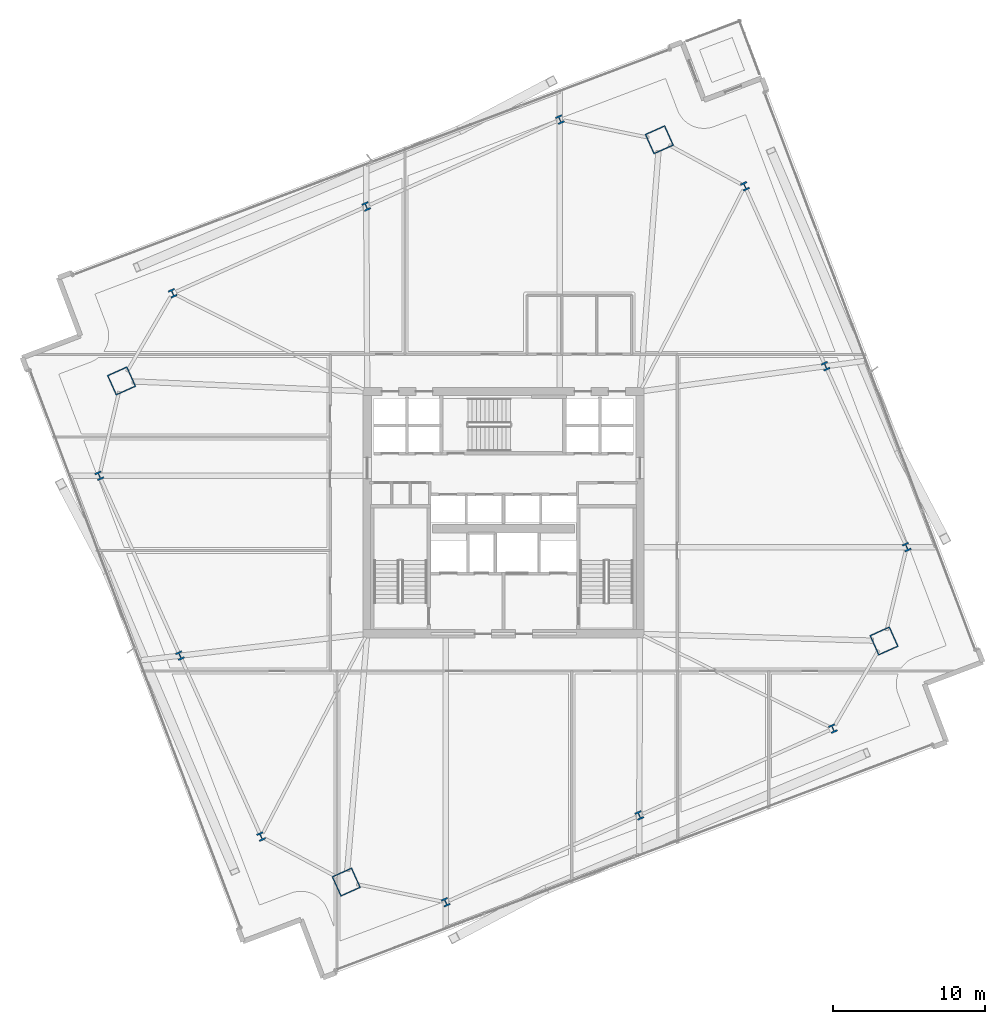
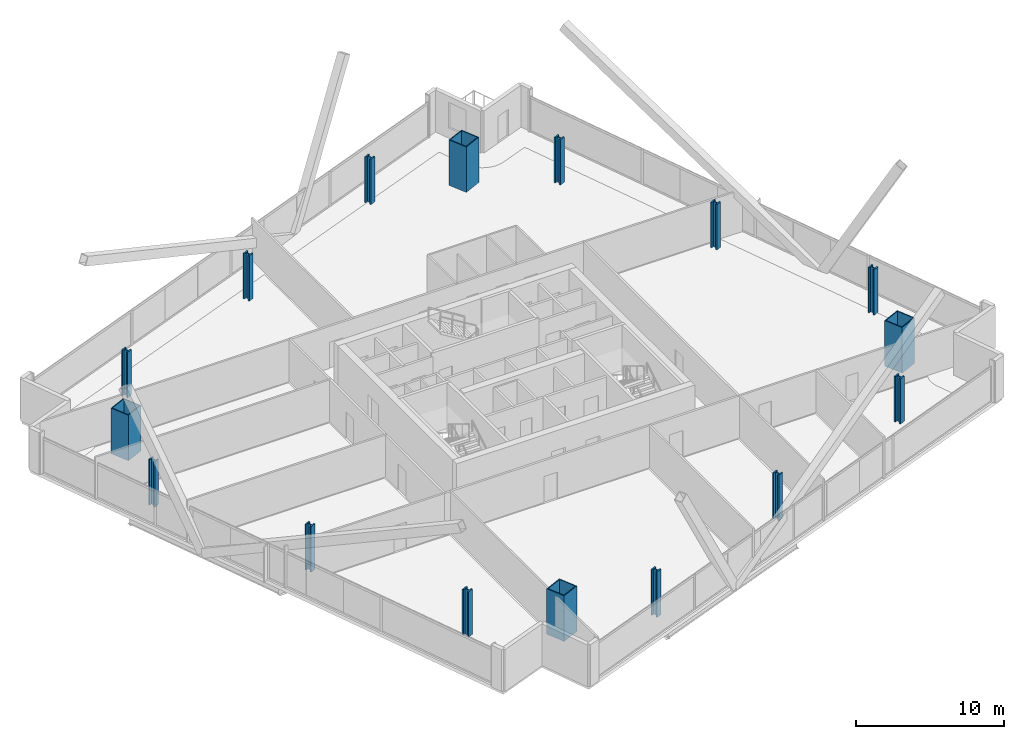
# One storey, part 1 of 37: 16 columns.
"""IFC4 building model written with IfcOpenShell, lengths in metres."""

import ifcopenshell
import ifcopenshell.guid

model = None  # the IFC model being written
_history = None  # IfcOwnerHistory: only IFC2X3 demands one
_inside = {}  # id of a spatial element -> (the spatial element, [elements in it])
_under = {}  # id of a project, library or spatial element -> (it, [spatial elements below it])
_declared = {}  # id of a project -> (the project, [libraries it declares])
_typed = {}  # id of a type object -> (the type object, [elements of that type])
_made_of = {}  # id of a material, layer set ... -> (it, [elements and type objects made of it])


def new_model(schema):
    """Start an empty IFC model of exactly this schema.

    Asked for "IFC4X3", IfcOpenShell would pick the latest addendum, in which some entities
    have other attributes; the version numbers below select the first issue.
    IFC2X3 requires an IfcOwnerHistory on every rooted entity: one is made here for all.
    """
    global model, _history
    if schema == "IFC4X3":
        model = ifcopenshell.file(schema_version=(4, 3, 0, 0))
    else:
        model = ifcopenshell.file(schema=schema)
    _inside.clear()
    _under.clear()
    _declared.clear()
    _typed.clear()
    _made_of.clear()
    _history = None
    if model.schema == "IFC2X3":
        org = make("IfcOrganization", Name="unknown")
        user = make(
            "IfcPersonAndOrganization",
            ThePerson=make("IfcPerson", FamilyName="unknown"),
            TheOrganization=org,
        )
        app = make(
            "IfcApplication",
            ApplicationDeveloper=org,
            Version="unknown",
            ApplicationFullName="unknown",
            ApplicationIdentifier="unknown",
        )
        _history = make(
            "IfcOwnerHistory",
            OwningUser=user,
            OwningApplication=app,
            ChangeAction="ADDED",
            CreationDate=0,
        )
    return model


def make(cls, **values):
    """One entity of the class cls with the attributes given. An attribute that is None is left unset."""
    return model.create_entity(
        cls, **{name: value for name, value in values.items() if value is not None}
    )


def rooted(cls, **values):
    """An entity with a GlobalId (a new one), such as an element, a storey or a relation."""
    return make(cls, GlobalId=ifcopenshell.guid.new(), OwnerHistory=_history, **values)


def si_unit(unit_type, name, prefix=None):
    """IfcSIUnit, for example si_unit("LENGTHUNIT", "METRE", prefix="MILLI")."""
    return make("IfcSIUnit", UnitType=unit_type, Prefix=prefix, Name=name)


def assignment(units):
    """IfcUnitAssignment: the units of a project."""
    return None if units is None else make("IfcUnitAssignment", Units=units)


def point(xyz):
    """IfcCartesianPoint."""
    return None if xyz is None else make("IfcCartesianPoint", Coordinates=xyz)


def direction(xyz):
    """IfcDirection."""
    return None if xyz is None else make("IfcDirection", DirectionRatios=xyz)


def frame(location, z_axis=None, x_axis=None):
    """IfcAxis2Placement3D, a coordinate frame: its origin and axes. An axis left out is left unset."""
    return make(
        "IfcAxis2Placement3D",
        Location=point(location),
        Axis=direction(z_axis),
        RefDirection=direction(x_axis),
    )


def frame_2d(location, x_axis=None):
    """IfcAxis2Placement2D, a coordinate frame in the plane: its origin and x axis."""
    return make(
        "IfcAxis2Placement2D", Location=point(location), RefDirection=direction(x_axis)
    )


def origin():
    """The frame at (0, 0, 0) with its axes left unset."""
    return frame((0.0, 0.0, 0.0))


def origin_2d():
    """The frame at (0, 0) in the plane with its x axis left unset."""
    return frame_2d((0.0, 0.0))


def place(relative_to, where):
    """IfcLocalPlacement: puts the frame where relative to a parent placement (None: the world)."""
    return make(
        "IfcLocalPlacement", PlacementRelTo=relative_to, RelativePlacement=where
    )


def context(
    kind, dimensions, precision=None, world=None, true_north=None, identifier=None
):
    """IfcGeometricRepresentationContext, for example the 3D "Model" context."""
    return make(
        "IfcGeometricRepresentationContext",
        ContextIdentifier=identifier,
        ContextType=kind,
        CoordinateSpaceDimension=dimensions,
        Precision=precision,
        WorldCoordinateSystem=world,
        TrueNorth=true_north,
    )


def subcontext(parent, identifier, kind, view, scale=None):
    """IfcGeometricRepresentationSubContext, for example "Body" below "Model"."""
    return make(
        "IfcGeometricRepresentationSubContext",
        ContextIdentifier=identifier,
        ContextType=kind,
        ParentContext=parent,
        TargetScale=scale,
        TargetView=view,
    )


def project(units=None, contexts=None):
    """IfcProject with its units and contexts."""
    return rooted(
        "IfcProject",
        Name="project",
        RepresentationContexts=contexts,
        UnitsInContext=assignment(units),
    )


def spatial(cls, under=None, at=None, **own):
    """A site, building, storey or space (cls), placed at a placement, below another one or the project."""
    s = rooted(cls, ObjectPlacement=at, **own)
    if under is not None:
        _under.setdefault(under.id(), (under, []))[1].append(s)
    return s


def profile(cls, at=None, kind="AREA", **sizes):
    """A parametric profile (cls). Its sizes go by their IFC names, for example OverallWidth=200.0."""
    return make(cls, ProfileType=kind, Position=at, **sizes)


def hollow_rectangle(**sizes):
    """IfcRectangleHollowProfileDef."""
    return profile("IfcRectangleHollowProfileDef", **sizes)


def i_section(**sizes):
    """IfcIShapeProfileDef."""
    return profile("IfcIShapeProfileDef", **sizes)


def extrude(swept, where, along, depth):
    """IfcExtrudedAreaSolid: the profile swept, set in the frame where, extruded along a direction by depth."""
    return make(
        "IfcExtrudedAreaSolid",
        SweptArea=swept,
        Position=where,
        ExtrudedDirection=direction(along),
        Depth=depth,
    )


def shape(context_of_items, identifier, shape_type, items):
    """IfcShapeRepresentation: the items that make up one representation, for example the "Body"."""
    return make(
        "IfcShapeRepresentation",
        ContextOfItems=context_of_items,
        RepresentationIdentifier=identifier,
        RepresentationType=shape_type,
        Items=items,
    )


def material(Name=None, Category=None):
    """IfcMaterial."""
    return make("IfcMaterial", Name=Name, Category=Category)


def material_profile(
    of_material, cross_section, Name=None, Category=None, Priority=None
):
    """IfcMaterialProfile: a cross section and its material."""
    return make(
        "IfcMaterialProfile",
        Name=Name,
        Material=of_material,
        Profile=cross_section,
        Priority=Priority,
        Category=Category,
    )


def profile_set(profiles, Name=None, composite=None):
    """IfcMaterialProfileSet."""
    return make(
        "IfcMaterialProfileSet",
        Name=Name,
        MaterialProfiles=profiles,
        CompositeProfile=composite,
    )


def made_of(thing, what):
    """Note that an element or type object is made of a material, layer set ...; save() writes the relation."""
    if what is not None:
        _made_of.setdefault(what.id(), (what, []))[1].append(thing)
    return thing


def type_object(cls, material=None, **own):
    """A type object (cls), such as IfcWallType, which elements share."""
    return made_of(rooted(cls, **own), material)


def element(
    cls,
    number,
    at=None,
    inside=None,
    cuts=None,
    type_object=None,
    material=None,
    context=None,
    identifier="Body",
    shape_type=None,
    held_by="IfcProductDefinitionShape",
    body=None,
    shapes=None,
    **own,
):
    """One element of the class cls, such as IfcWall. Its Tag is "e" and its number.

    at: its placement. inside: the storey or other place that contains it. cuts: it is an
    opening in that element (IfcRelVoidsElement). A single representation is given by context,
    identifier, shape_type and body (its items); several are given by shapes. held_by: the class
    of the entity that holds the representations. save() writes the other relations.
    """
    e = rooted(cls, Tag="e%d" % number, ObjectPlacement=at, **own)
    if body is not None:
        shapes = [shape(context, identifier, shape_type, body)]
    if shapes is not None:
        e.Representation = make(held_by, Representations=shapes)
    if inside is not None:
        _inside.setdefault(inside.id(), (inside, []))[1].append(e)
    if cuts is not None:
        rooted(
            "IfcRelVoidsElement", RelatingBuildingElement=cuts, RelatedOpeningElement=e
        )
    if type_object is not None:
        _typed.setdefault(type_object.id(), (type_object, []))[1].append(e)
    return made_of(e, material)


def aggregate(whole, parts):
    """IfcRelAggregates: a whole, such as a stair, and the parts it consists of."""
    return rooted("IfcRelAggregates", RelatingObject=whole, RelatedObjects=parts)


def save(model, path):
    """Write the relations noted so far, then the file.

    IfcRelAggregates (storeys below a building ...), IfcRelContainedInSpatialStructure (elements
    in a storey), IfcRelDefinesByType, IfcRelAssociatesMaterial and IfcRelDeclares: one each for
    every whole, place, type object, material and project.
    """
    for whole, parts in _under.values():
        aggregate(whole, parts)
    for where, things in _inside.values():
        rooted(
            "IfcRelContainedInSpatialStructure",
            RelatedElements=things,
            RelatingStructure=where,
        )
    for kind, things in _typed.values():
        rooted("IfcRelDefinesByType", RelatedObjects=things, RelatingType=kind)
    for what, things in _made_of.values():
        rooted("IfcRelAssociatesMaterial", RelatedObjects=things, RelatingMaterial=what)
    for by, libraries in _declared.values():
        rooted("IfcRelDeclares", RelatingContext=by, RelatedDefinitions=libraries)
    model.write(path)


model = new_model("IFC4")

# Units and contexts
model_context = context("Model", 3, precision=1e-05, world=origin(), true_north=direction((0.0, 1.0)))
body_context = subcontext(model_context, "Body", "Model", "MODEL_VIEW")
ifc_project = project(units=[si_unit("LENGTHUNIT", "METRE"), si_unit("AREAUNIT", "SQUARE_METRE"), si_unit("VOLUMEUNIT", "CUBIC_METRE"), si_unit("PLANEANGLEUNIT", "RADIAN"), si_unit("MASSUNIT", "GRAM", prefix="KILO")], contexts=[model_context])

# Site, building, storey
site_placement = place(None, origin())
site = spatial("IfcSite", under=ifc_project, at=site_placement, CompositionType="ELEMENT")
building_placement = place(site_placement, origin())
building = spatial("IfcBuilding", under=site, at=building_placement, Name="Haldenkirk Collegiate Tower", CompositionType="ELEMENT")
storey_placement = place(building_placement, frame((0.0, 0.0, 97.949951171875)))
storey = spatial("IfcBuildingStorey", under=building, at=storey_placement, Name="L23", CompositionType="ELEMENT", Elevation=97.949951171875)

# Columns
ifc_material_1 = material(Name="Steel ASTM A913 Grade 65", Category="steel")
ifc_material_profile_1 = material_profile(ifc_material_1, i_section(OverallWidth=0.44189453125, OverallDepth=0.531005859375, WebThickness=0.06591796875, FlangeThickness=0.105712890625, at=origin_2d()), Name="W14X605")
ifc_profile_set_1 = profile_set([ifc_material_profile_1], Name="Steel ASTM A913 Grade 65")
column_type_1 = type_object("IfcColumnType", Name="COL-INT-W14X605", PredefinedType="COLUMN", material=ifc_profile_set_1)
for number, where, z_axis, x_axis, name in (
    (1, (32.181396484375, 0.287353515625, 0.0), (0.0, 0.0, 1.0), (0.912477494148, 0.409126902895, 0.0), "L23 perimeter gravity column PC-S1"),
    (2, (44.9599609375, 6.0166015625, 0.0), (0.0, 0.0, 1.0), (0.912477494148, 0.409126902895, 0.0), "L23 perimeter gravity column PC-S2"),
    (3, (57.73828125, 11.74609375, 0.0), (0.0, 0.0, 1.0), (0.912477494148, 0.409126902895, 0.0), "L23 perimeter gravity column PC-S3"),
    (4, (62.608642578125, 23.727294921875, 0.0), (0.0, 0.0, 1.0), (0.912477494148, 0.409126902895, 0.0), "L23 perimeter gravity column PC-E1"),
    (5, (57.255126953125, 35.667236328125, 0.0), (0.0, 0.0, 1.0), (0.912477494148, 0.409126902895, 0.0), "L23 perimeter gravity column PC-E2"),
    (6, (51.930419921875, 47.543212890625, 0.0), (0.0, 0.0, 1.0), (0.912477494148, 0.409126902895, 0.0), "L23 perimeter gravity column PC-E3"),
    (7, (39.71630859375, 51.94091796875, 0.0), (0.0, 0.0, 1.0), (0.912477494148, 0.409126902895, 0.0), "L23 perimeter gravity column PC-N1"),
    (8, (26.937744140625, 46.21142578125, 0.0), (0.0, 0.0, 1.0), (0.912477494148, 0.409126902895, 0.0), "L23 perimeter gravity column PC-N2"),
    (9, (14.159423828125, 40.48193359375, 0.0), (0.0, 0.0, 1.0), (0.912477494148, 0.409126902895, 0.0), "L23 perimeter gravity column PC-N3"),
    (10, (9.317626953125, 28.436767578125, 0.0), (0.0, 0.0, 1.0), (0.912477494148, 0.409126902895, 0.0), "L23 perimeter gravity column PC-W1"),
    (11, (14.642578125, 16.560791015625, 0.0), (0.0, 0.0, 1.0), (0.912477494148, 0.409126902895, 0.0), "L23 perimeter gravity column PC-W2"),
    (12, (19.995849609375, 4.62109375, 0.0), (0.0, 0.0, 1.0), (0.912477494148, 0.409126902895, 0.0), "L23 perimeter gravity column PC-W3"),
):
    element("IfcColumn", number, at=place(storey_placement, frame(where, z_axis=z_axis, x_axis=x_axis)), inside=storey, type_object=column_type_1, Name=name, PredefinedType="COLUMN", context=body_context, shape_type="SweptSolid", body=[
        extrude(i_section(OverallWidth=0.44189453125, OverallDepth=0.531005859375, WebThickness=0.06591796875, FlangeThickness=0.105712890625, at=origin_2d()), origin(), (0.0, 0.0, 1.0), 3.75),
    ])
ifc_material_2 = material(Name="Steel ASTM A572 Grade 50", Category="steel")
ifc_material_profile_2 = material_profile(ifc_material_2, hollow_rectangle(XDim=1.449951171875, YDim=1.449951171875, WallThickness=0.070068359375, at=origin_2d()), Name="BOX1450X1450X70")
ifc_profile_set_2 = profile_set([ifc_material_profile_2], Name="Steel ASTM A572 Grade 50")
column_type_2 = type_object("IfcColumnType", Name="COL-MEGA-BOX1450X1450X70", PredefinedType="COLUMN", material=ifc_profile_set_2)
for number, where, z_axis, x_axis, name in (
    (13, (25.61669921875, 1.617919921875, 0.0), (0.0, 0.0, 1.0), (0.912477494148, 0.409126902895, 0.0), "L23 corner mega-column MC1"),
    (14, (61.112060546875, 17.532958984375, 0.0), (0.0, 0.0, 1.0), (0.912477494148, 0.409126902895, 0.0), "L23 corner mega-column MC2"),
    (15, (46.281005859375, 50.610107421875, 0.0), (0.0, 0.0, 1.0), (0.912477494148, 0.409126902895, 0.0), "L23 corner mega-column MC3"),
    (16, (10.78564453125, 34.6953125, 0.0), (0.0, 0.0, 1.0), (0.912477494148, 0.409126902895, 0.0), "L23 corner mega-column MC4"),
):
    element("IfcColumn", number, at=place(storey_placement, frame(where, z_axis=z_axis, x_axis=x_axis)), inside=storey, type_object=column_type_2, Name=name, PredefinedType="COLUMN", context=body_context, shape_type="SweptSolid", body=[
        extrude(hollow_rectangle(XDim=1.449951171875, YDim=1.449951171875, WallThickness=0.070068359375, at=origin_2d()), origin(), (0.0, 0.0, 1.0), 3.75),
    ])

save(model, "model.ifc")
